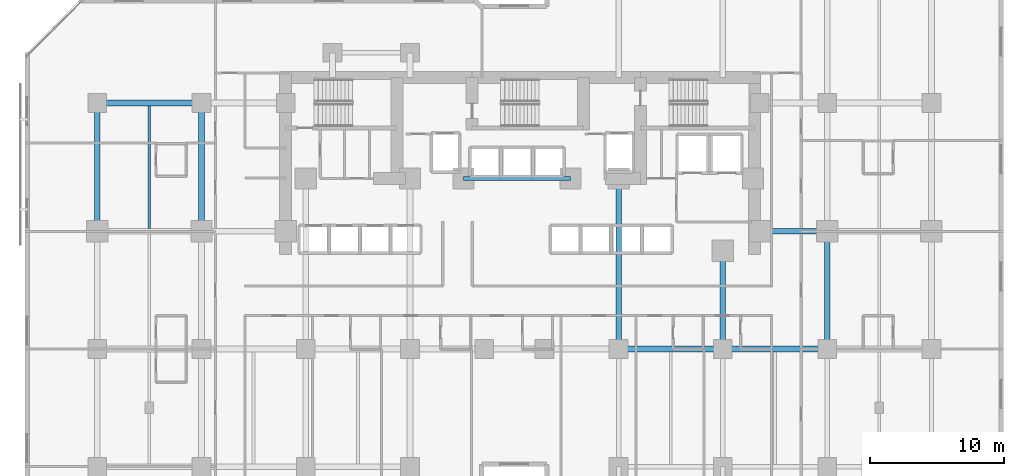
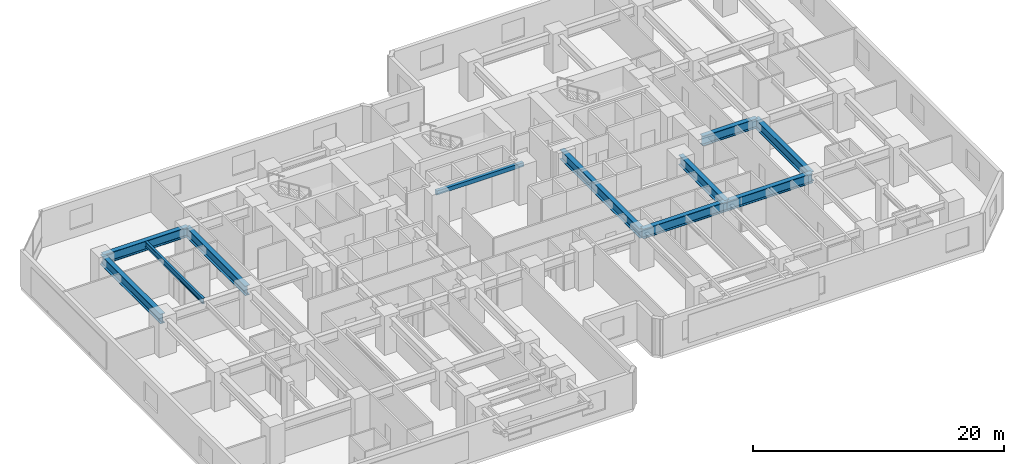
# One storey, part 2 of 12: 11 beams.
"""IFC4 building model written with IfcOpenShell, lengths in metres."""

import ifcopenshell
import ifcopenshell.guid

model = None  # the IFC model being written
_history = None  # IfcOwnerHistory: only IFC2X3 demands one
_inside = {}  # id of a spatial element -> (the spatial element, [elements in it])
_under = {}  # id of a project, library or spatial element -> (it, [spatial elements below it])
_declared = {}  # id of a project -> (the project, [libraries it declares])
_typed = {}  # id of a type object -> (the type object, [elements of that type])
_made_of = {}  # id of a material, layer set ... -> (it, [elements and type objects made of it])


def new_model(schema):
    """Start an empty IFC model of exactly this schema.

    Asked for "IFC4X3", IfcOpenShell would pick the latest addendum, in which some entities
    have other attributes; the version numbers below select the first issue.
    IFC2X3 requires an IfcOwnerHistory on every rooted entity: one is made here for all.
    """
    global model, _history
    if schema == "IFC4X3":
        model = ifcopenshell.file(schema_version=(4, 3, 0, 0))
    else:
        model = ifcopenshell.file(schema=schema)
    _inside.clear()
    _under.clear()
    _declared.clear()
    _typed.clear()
    _made_of.clear()
    _history = None
    if model.schema == "IFC2X3":
        org = make("IfcOrganization", Name="unknown")
        user = make(
            "IfcPersonAndOrganization",
            ThePerson=make("IfcPerson", FamilyName="unknown"),
            TheOrganization=org,
        )
        app = make(
            "IfcApplication",
            ApplicationDeveloper=org,
            Version="unknown",
            ApplicationFullName="unknown",
            ApplicationIdentifier="unknown",
        )
        _history = make(
            "IfcOwnerHistory",
            OwningUser=user,
            OwningApplication=app,
            ChangeAction="ADDED",
            CreationDate=0,
        )
    return model


def make(cls, **values):
    """One entity of the class cls with the attributes given. An attribute that is None is left unset."""
    return model.create_entity(
        cls, **{name: value for name, value in values.items() if value is not None}
    )


def rooted(cls, **values):
    """An entity with a GlobalId (a new one), such as an element, a storey or a relation."""
    return make(cls, GlobalId=ifcopenshell.guid.new(), OwnerHistory=_history, **values)


def si_unit(unit_type, name, prefix=None):
    """IfcSIUnit, for example si_unit("LENGTHUNIT", "METRE", prefix="MILLI")."""
    return make("IfcSIUnit", UnitType=unit_type, Prefix=prefix, Name=name)


def assignment(units):
    """IfcUnitAssignment: the units of a project."""
    return None if units is None else make("IfcUnitAssignment", Units=units)


def point(xyz):
    """IfcCartesianPoint."""
    return None if xyz is None else make("IfcCartesianPoint", Coordinates=xyz)


def direction(xyz):
    """IfcDirection."""
    return None if xyz is None else make("IfcDirection", DirectionRatios=xyz)


def frame(location, z_axis=None, x_axis=None):
    """IfcAxis2Placement3D, a coordinate frame: its origin and axes. An axis left out is left unset."""
    return make(
        "IfcAxis2Placement3D",
        Location=point(location),
        Axis=direction(z_axis),
        RefDirection=direction(x_axis),
    )


def frame_2d(location, x_axis=None):
    """IfcAxis2Placement2D, a coordinate frame in the plane: its origin and x axis."""
    return make(
        "IfcAxis2Placement2D", Location=point(location), RefDirection=direction(x_axis)
    )


def origin():
    """The frame at (0, 0, 0) with its axes left unset."""
    return frame((0.0, 0.0, 0.0))


def origin_2d():
    """The frame at (0, 0) in the plane with its x axis left unset."""
    return frame_2d((0.0, 0.0))


def place(relative_to, where):
    """IfcLocalPlacement: puts the frame where relative to a parent placement (None: the world)."""
    return make(
        "IfcLocalPlacement", PlacementRelTo=relative_to, RelativePlacement=where
    )


def context(
    kind, dimensions, precision=None, world=None, true_north=None, identifier=None
):
    """IfcGeometricRepresentationContext, for example the 3D "Model" context."""
    return make(
        "IfcGeometricRepresentationContext",
        ContextIdentifier=identifier,
        ContextType=kind,
        CoordinateSpaceDimension=dimensions,
        Precision=precision,
        WorldCoordinateSystem=world,
        TrueNorth=true_north,
    )


def subcontext(parent, identifier, kind, view, scale=None):
    """IfcGeometricRepresentationSubContext, for example "Body" below "Model"."""
    return make(
        "IfcGeometricRepresentationSubContext",
        ContextIdentifier=identifier,
        ContextType=kind,
        ParentContext=parent,
        TargetScale=scale,
        TargetView=view,
    )


def project(units=None, contexts=None):
    """IfcProject with its units and contexts."""
    return rooted(
        "IfcProject",
        Name="project",
        RepresentationContexts=contexts,
        UnitsInContext=assignment(units),
    )


def spatial(cls, under=None, at=None, **own):
    """A site, building, storey or space (cls), placed at a placement, below another one or the project."""
    s = rooted(cls, ObjectPlacement=at, **own)
    if under is not None:
        _under.setdefault(under.id(), (under, []))[1].append(s)
    return s


def profile(cls, at=None, kind="AREA", **sizes):
    """A parametric profile (cls). Its sizes go by their IFC names, for example OverallWidth=200.0."""
    return make(cls, ProfileType=kind, Position=at, **sizes)


def rectangle(**sizes):
    """IfcRectangleProfileDef."""
    return profile("IfcRectangleProfileDef", **sizes)


def i_section(**sizes):
    """IfcIShapeProfileDef."""
    return profile("IfcIShapeProfileDef", **sizes)


def extrude(swept, where, along, depth):
    """IfcExtrudedAreaSolid: the profile swept, set in the frame where, extruded along a direction by depth."""
    return make(
        "IfcExtrudedAreaSolid",
        SweptArea=swept,
        Position=where,
        ExtrudedDirection=direction(along),
        Depth=depth,
    )


def shape(context_of_items, identifier, shape_type, items):
    """IfcShapeRepresentation: the items that make up one representation, for example the "Body"."""
    return make(
        "IfcShapeRepresentation",
        ContextOfItems=context_of_items,
        RepresentationIdentifier=identifier,
        RepresentationType=shape_type,
        Items=items,
    )


def material(Name=None, Category=None):
    """IfcMaterial."""
    return make("IfcMaterial", Name=Name, Category=Category)


def material_profile(
    of_material, cross_section, Name=None, Category=None, Priority=None
):
    """IfcMaterialProfile: a cross section and its material."""
    return make(
        "IfcMaterialProfile",
        Name=Name,
        Material=of_material,
        Profile=cross_section,
        Priority=Priority,
        Category=Category,
    )


def profile_set(profiles, Name=None, composite=None):
    """IfcMaterialProfileSet."""
    return make(
        "IfcMaterialProfileSet",
        Name=Name,
        MaterialProfiles=profiles,
        CompositeProfile=composite,
    )


def made_of(thing, what):
    """Note that an element or type object is made of a material, layer set ...; save() writes the relation."""
    if what is not None:
        _made_of.setdefault(what.id(), (what, []))[1].append(thing)
    return thing


def type_object(cls, material=None, **own):
    """A type object (cls), such as IfcWallType, which elements share."""
    return made_of(rooted(cls, **own), material)


def element(
    cls,
    number,
    at=None,
    inside=None,
    cuts=None,
    type_object=None,
    material=None,
    context=None,
    identifier="Body",
    shape_type=None,
    held_by="IfcProductDefinitionShape",
    body=None,
    shapes=None,
    **own,
):
    """One element of the class cls, such as IfcWall. Its Tag is "e" and its number.

    at: its placement. inside: the storey or other place that contains it. cuts: it is an
    opening in that element (IfcRelVoidsElement). A single representation is given by context,
    identifier, shape_type and body (its items); several are given by shapes. held_by: the class
    of the entity that holds the representations. save() writes the other relations.
    """
    e = rooted(cls, Tag="e%d" % number, ObjectPlacement=at, **own)
    if body is not None:
        shapes = [shape(context, identifier, shape_type, body)]
    if shapes is not None:
        e.Representation = make(held_by, Representations=shapes)
    if inside is not None:
        _inside.setdefault(inside.id(), (inside, []))[1].append(e)
    if cuts is not None:
        rooted(
            "IfcRelVoidsElement", RelatingBuildingElement=cuts, RelatedOpeningElement=e
        )
    if type_object is not None:
        _typed.setdefault(type_object.id(), (type_object, []))[1].append(e)
    return made_of(e, material)


def aggregate(whole, parts):
    """IfcRelAggregates: a whole, such as a stair, and the parts it consists of."""
    return rooted("IfcRelAggregates", RelatingObject=whole, RelatedObjects=parts)


def save(model, path):
    """Write the relations noted so far, then the file.

    IfcRelAggregates (storeys below a building ...), IfcRelContainedInSpatialStructure (elements
    in a storey), IfcRelDefinesByType, IfcRelAssociatesMaterial and IfcRelDeclares: one each for
    every whole, place, type object, material and project.
    """
    for whole, parts in _under.values():
        aggregate(whole, parts)
    for where, things in _inside.values():
        rooted(
            "IfcRelContainedInSpatialStructure",
            RelatedElements=things,
            RelatingStructure=where,
        )
    for kind, things in _typed.values():
        rooted("IfcRelDefinesByType", RelatedObjects=things, RelatingType=kind)
    for what, things in _made_of.values():
        rooted("IfcRelAssociatesMaterial", RelatedObjects=things, RelatingMaterial=what)
    for by, libraries in _declared.values():
        rooted("IfcRelDeclares", RelatingContext=by, RelatedDefinitions=libraries)
    model.write(path)


model = new_model("IFC4")

# Units and contexts
model_context = context("Model", 3, precision=1e-05, world=origin(), true_north=direction((0.0, 1.0)))
body_context = subcontext(model_context, "Body", "Model", "MODEL_VIEW")
ifc_project = project(units=[si_unit("LENGTHUNIT", "METRE"), si_unit("AREAUNIT", "SQUARE_METRE"), si_unit("VOLUMEUNIT", "CUBIC_METRE"), si_unit("PLANEANGLEUNIT", "RADIAN"), si_unit("MASSUNIT", "GRAM", prefix="KILO")], contexts=[model_context])

# Site, building, storey
site_placement = place(None, origin())
site = spatial("IfcSite", under=ifc_project, at=site_placement, CompositionType="ELEMENT")
building_placement = place(site_placement, origin())
building = spatial("IfcBuilding", under=site, at=building_placement, Name="Kestravale Grand Hotel", CompositionType="ELEMENT")
storey_placement = place(building_placement, frame((0.0, 0.0, 26.0)))
storey = spatial("IfcBuildingStorey", under=building, at=storey_placement, Name="L05", CompositionType="ELEMENT", Elevation=26.0)

# Beams
ifc_material_1 = material(Name="Steel ASTM A992 Grade 50", Category="steel")
ifc_material_profile_1 = material_profile(ifc_material_1, i_section(OverallWidth=0.2099609375, OverallDepth=0.535888671875, WebThickness=0.010986328125, FlangeThickness=0.017333984375, FilletRadius=0.017578125, at=origin_2d()))
ifc_profile_set_1 = profile_set([ifc_material_profile_1], Name="Steel ASTM A992 Grade 50")
beam_type_1 = type_object("IfcBeamType", Name="B-FLR-JST21", PredefinedType="JOIST", material=ifc_profile_set_1)
beam_1_placement = place(storey_placement, frame((11.699951171875, 29.011962890625, 3.27197265625), z_axis=(0.0, 1.0, 0.0), x_axis=(-1.0, 0.0, 0.0)))
element("IfcBeam", 1, at=beam_1_placement, inside=storey, type_object=beam_type_1, Name="L05 floor joist 2-3/E-F #1", PredefinedType="JOIST", context=body_context, shape_type="SweptSolid", body=[
    extrude(i_section(OverallWidth=0.2099609375, OverallDepth=0.535888671875, WebThickness=0.010986328125, FlangeThickness=0.017333984375, FilletRadius=0.017578125, at=origin_2d()), origin(), (0.0, 0.0, 1.0), 9.176025390625),
])
ifc_material_2 = material(Name="Concrete f'c 45 MPa", Category="concrete")
ifc_material_profile_2 = material_profile(ifc_material_2, rectangle(XDim=0.300048828125, YDim=0.39990234375, at=origin_2d()))
ifc_profile_set_2 = profile_set([ifc_material_profile_2], Name="Concrete f'c 45 MPa")
beam_type_2 = type_object("IfcBeamType", Name="B-FLR-LNT400", PredefinedType="LINTEL", material=ifc_profile_set_2)
beam_2_placement = place(storey_placement, frame((35.199951171875, 32.75, 3.340087890625), z_axis=(1.0, 0.0, 0.0), x_axis=(0.0, 1.0, 0.0)))
element("IfcBeam", 2, at=beam_2_placement, inside=storey, type_object=beam_type_2, Name="L05 core portal header lintel", PredefinedType="LINTEL", context=body_context, shape_type="SweptSolid", body=[
    extrude(rectangle(XDim=0.300048828125, YDim=0.39990234375, at=origin_2d()), origin(), (0.0, 0.0, 1.0), 8.0),
])
ifc_material_3 = material(Name="Steel ASTM A992 Grade 50", Category="steel")
ifc_material_profile_3 = material_profile(ifc_material_3, i_section(OverallWidth=0.424072265625, OverallDepth=0.947021484375, WebThickness=0.02392578125, FlangeThickness=0.042724609375, FilletRadius=0.0283203125, at=origin_2d()))
ifc_profile_set_3 = profile_set([ifc_material_profile_3], Name="Steel ASTM A992 Grade 50")
beam_type_3 = type_object("IfcBeamType", Name="B-GRD-W36", PredefinedType="BEAM", material=ifc_profile_set_3)
beam_3_placement = place(storey_placement, frame((46.800048828125, 20.0, 3.06640625), z_axis=(1.0, 0.0, 0.0), x_axis=(0.0, 1.0, 0.0)))
element("IfcBeam", 3, at=beam_3_placement, inside=storey, type_object=beam_type_3, Name="L05 girder D:8-9", PredefinedType="BEAM", context=body_context, shape_type="SweptSolid", body=[
    extrude(i_section(OverallWidth=0.424072265625, OverallDepth=0.947021484375, WebThickness=0.02392578125, FlangeThickness=0.042724609375, FilletRadius=0.0283203125, at=origin_2d()), origin(), (0.0, 0.0, 1.0), 7.800048828125),
])
beam_4_placement = place(storey_placement, frame((54.60009765625, 20.0, 3.06640625), z_axis=(1.0, 0.0, 0.0), x_axis=(0.0, 1.0, 0.0)))
element("IfcBeam", 4, at=beam_4_placement, inside=storey, type_object=beam_type_3, Name="L05 girder D:9-10", PredefinedType="BEAM", context=body_context, shape_type="SweptSolid", body=[
    extrude(i_section(OverallWidth=0.424072265625, OverallDepth=0.947021484375, WebThickness=0.02392578125, FlangeThickness=0.042724609375, FilletRadius=0.0283203125, at=origin_2d()), origin(), (0.0, 0.0, 1.0), 7.7998046875),
])
beam_5_placement = place(storey_placement, frame((57.35009765625, 28.800048828125, 3.06640625), z_axis=(1.0, 0.0, 0.0), x_axis=(0.0, 1.0, 0.0)))
element("IfcBeam", 5, at=beam_5_placement, inside=storey, type_object=beam_type_3, Name="L05 girder E:CE-10", PredefinedType="BEAM", context=body_context, shape_type="SweptSolid", body=[
    extrude(i_section(OverallWidth=0.424072265625, OverallDepth=0.947021484375, WebThickness=0.02392578125, FlangeThickness=0.042724609375, FilletRadius=0.0283203125, at=origin_2d()), origin(), (0.0, 0.0, 1.0), 5.0498046875),
])
beam_6_placement = place(storey_placement, frame((7.800048828125, 38.39990234375, 3.06640625), z_axis=(1.0, 0.0, 0.0), x_axis=(0.0, 1.0, 0.0)))
element("IfcBeam", 6, at=beam_6_placement, inside=storey, type_object=beam_type_3, Name="L05 girder F:2-3", PredefinedType="BEAM", context=body_context, shape_type="SweptSolid", body=[
    extrude(i_section(OverallWidth=0.424072265625, OverallDepth=0.947021484375, WebThickness=0.02392578125, FlangeThickness=0.042724609375, FilletRadius=0.0283203125, at=origin_2d()), origin(), (0.0, 0.0, 1.0), 7.800048828125),
])
for number, where, z_axis, x_axis, name in (
    (7, (7.800048828125, 28.800048828125, 3.06640625), (0.0, 1.0, 0.0), (-1.0, 0.0, 0.0), "L05 girder 2:E-F"),
    (8, (15.60009765625, 28.800048828125, 3.06640625), (0.0, 1.0, 0.0), (-1.0, 0.0, 0.0), "L05 girder 3:E-F"),
):
    element("IfcBeam", number, at=place(storey_placement, frame(where, z_axis=z_axis, x_axis=x_axis)), inside=storey, type_object=beam_type_3, Name=name, PredefinedType="BEAM", context=body_context, shape_type="SweptSolid", body=[
        extrude(i_section(OverallWidth=0.424072265625, OverallDepth=0.947021484375, WebThickness=0.02392578125, FlangeThickness=0.042724609375, FilletRadius=0.0283203125, at=origin_2d()), origin(), (0.0, 0.0, 1.0), 9.599853515625),
    ])
beam_7_placement = place(storey_placement, frame((46.800048828125, 20.0, 3.06640625), z_axis=(0.0, 1.0, 0.0), x_axis=(-1.0, 0.0, 0.0)))
element("IfcBeam", 9, at=beam_7_placement, inside=storey, type_object=beam_type_3, Name="L05 girder 8:D-CS", PredefinedType="BEAM", context=body_context, shape_type="SweptSolid", body=[
    extrude(i_section(OverallWidth=0.424072265625, OverallDepth=0.947021484375, WebThickness=0.02392578125, FlangeThickness=0.042724609375, FilletRadius=0.0283203125, at=origin_2d()), origin(), (0.0, 0.0, 1.0), 12.75),
])
beam_8_placement = place(storey_placement, frame((54.60009765625, 20.0, 3.06640625), z_axis=(0.0, 1.0, 0.0), x_axis=(-1.0, 0.0, 0.0)))
element("IfcBeam", 10, at=beam_8_placement, inside=storey, type_object=beam_type_3, Name="L05 girder 9:D-CS", PredefinedType="BEAM", context=body_context, shape_type="SweptSolid", body=[
    extrude(i_section(OverallWidth=0.424072265625, OverallDepth=0.947021484375, WebThickness=0.02392578125, FlangeThickness=0.042724609375, FilletRadius=0.0283203125, at=origin_2d()), origin(), (0.0, 0.0, 1.0), 7.35009765625),
])
beam_9_placement = place(storey_placement, frame((62.39990234375, 20.0, 3.06640625), z_axis=(0.0, 1.0, 0.0), x_axis=(-1.0, 0.0, 0.0)))
element("IfcBeam", 11, at=beam_9_placement, inside=storey, type_object=beam_type_3, Name="L05 girder 10:D-E", PredefinedType="BEAM", context=body_context, shape_type="SweptSolid", body=[
    extrude(i_section(OverallWidth=0.424072265625, OverallDepth=0.947021484375, WebThickness=0.02392578125, FlangeThickness=0.042724609375, FilletRadius=0.0283203125, at=origin_2d()), origin(), (0.0, 0.0, 1.0), 8.800048828125),
])

save(model, "model.ifc")
